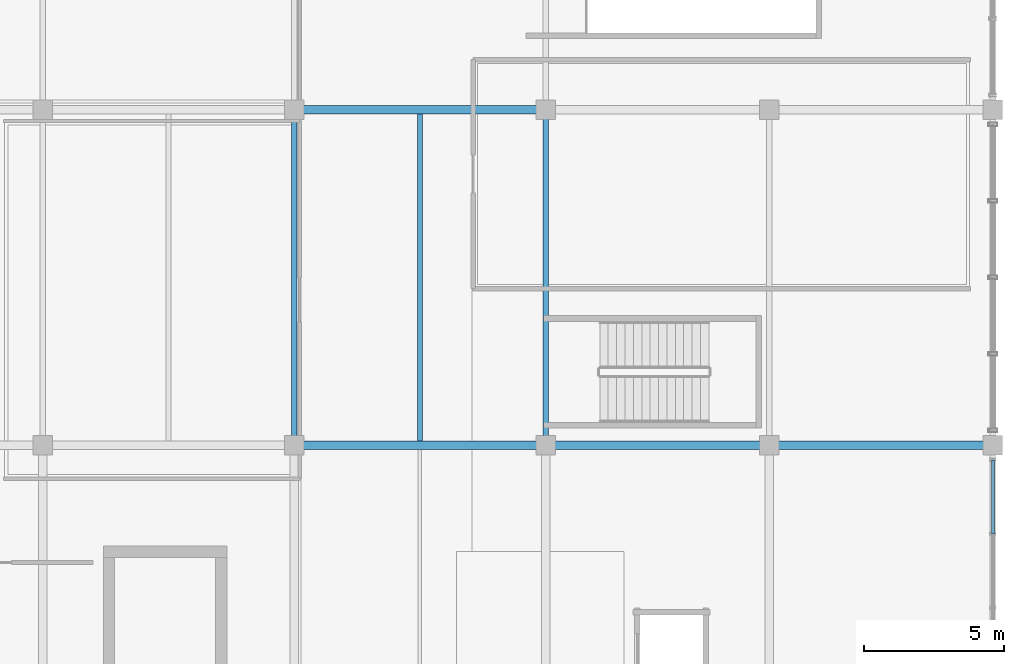
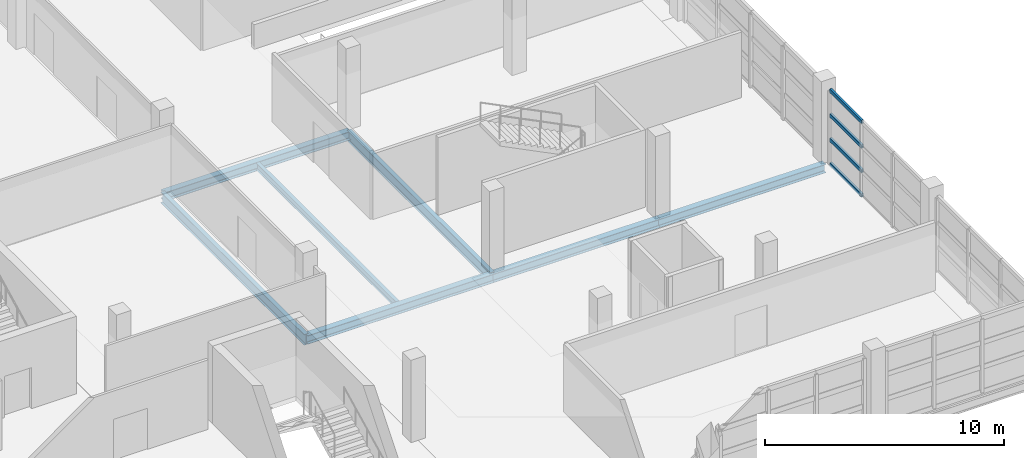
# One storey, part 65 of 136: 7 beams, 4 members, 1 element without a shape of its own.
"""IFC4 building model written with IfcOpenShell, lengths in metres."""

from ifc_helpers import new_model, si_unit, direction, frame, origin, origin_2d, place, context, subcontext, project, spatial, hollow_rectangle, i_section, extrude, material, material_profile, profile_set, type_object, element, aggregate, save


model = new_model("IFC4")

# Units and contexts
model_context = context("Model", 3, precision=1e-05, world=origin(), true_north=direction((0.0, 1.0)))
body_context = subcontext(model_context, "Body", "Model", "MODEL_VIEW")
ifc_project = project(units=[si_unit("LENGTHUNIT", "METRE"), si_unit("AREAUNIT", "SQUARE_METRE"), si_unit("VOLUMEUNIT", "CUBIC_METRE"), si_unit("PLANEANGLEUNIT", "RADIAN"), si_unit("MASSUNIT", "GRAM", prefix="KILO")], contexts=[model_context])

# Site, building, storey
site_placement = place(None, origin())
site = spatial("IfcSite", under=ifc_project, at=site_placement, CompositionType="ELEMENT")
building_placement = place(site_placement, origin())
building = spatial("IfcBuilding", under=site, at=building_placement, Name="Chuanluo Vaults Station", CompositionType="ELEMENT")
storey_placement = place(building_placement, frame((0.0, 0.0, 6.60009765625)))
storey = spatial("IfcBuildingStorey", under=building, at=storey_placement, Name="L01", CompositionType="ELEMENT", Elevation=6.60009765625)

# Beams
ifc_material_1 = material(Name="Steel Q355C", Category="steel")
ifc_material_profile_1 = material_profile(ifc_material_1, i_section(OverallWidth=0.300048828125, OverallDepth=0.43994140625, WebThickness=0.010986328125, FlangeThickness=0.01806640625, FilletRadius=0.02001953125, at=origin_2d()))
ifc_profile_set_1 = profile_set([ifc_material_profile_1], Name="Steel Q355C")
beam_type_1 = type_object("IfcBeamType", Name="BM-GRD-450", PredefinedType="USERDEFINED", material=ifc_profile_set_1)
beam_1_placement = place(storey_placement, frame((163.0, 18.0, -0.460205078125), z_axis=(1.0, 0.0, 0.0), x_axis=(0.0, 1.0, 0.0)))
element("IfcBeam", 1, at=beam_1_placement, inside=storey, type_object=beam_type_1, Name="Floor girder BM:GX:L01:0299", ObjectType="GIRDER", PredefinedType="USERDEFINED", context=body_context, shape_type="SweptSolid", body=[
    extrude(i_section(OverallWidth=0.300048828125, OverallDepth=0.43994140625, WebThickness=0.010986328125, FlangeThickness=0.01806640625, FilletRadius=0.02001953125, at=origin_2d()), origin(), (0.0, 0.0, 1.0), 9.0),
])
for number, where, z_axis, x_axis, name in (
    (2, (172.0, 18.0, -0.460205078125), (1.0, 0.0, 0.0), (0.0, 1.0, 0.0), "Floor girder BM:GX:L01:0300"),
    (3, (180.0, 18.0, -0.460205078125), (1.0, 0.0, 0.0), (0.0, 1.0, 0.0), "Floor girder BM:GX:L01:0301"),
):
    element("IfcBeam", number, at=place(storey_placement, frame(where, z_axis=z_axis, x_axis=x_axis)), inside=storey, type_object=beam_type_1, Name=name, ObjectType="GIRDER", PredefinedType="USERDEFINED", context=body_context, shape_type="SweptSolid", body=[
        extrude(i_section(OverallWidth=0.300048828125, OverallDepth=0.43994140625, WebThickness=0.010986328125, FlangeThickness=0.01806640625, FilletRadius=0.02001953125, at=origin_2d()), origin(), (0.0, 0.0, 1.0), 8.0),
    ])
beam_2_placement = place(storey_placement, frame((163.0, 30.0, -0.460205078125), z_axis=(1.0, 0.0, 0.0), x_axis=(0.0, 1.0, 0.0)))
element("IfcBeam", 4, at=beam_2_placement, inside=storey, type_object=beam_type_1, Name="Floor girder BM:GX:L01:0307", ObjectType="GIRDER", PredefinedType="USERDEFINED", context=body_context, shape_type="SweptSolid", body=[
    extrude(i_section(OverallWidth=0.300048828125, OverallDepth=0.43994140625, WebThickness=0.010986328125, FlangeThickness=0.01806640625, FilletRadius=0.02001953125, at=origin_2d()), origin(), (0.0, 0.0, 1.0), 9.0),
])
ifc_material_2 = material(Name="Steel Q355C", Category="steel")
ifc_material_profile_2 = material_profile(ifc_material_2, i_section(OverallWidth=0.199951171875, OverallDepth=0.550048828125, WebThickness=0.010009765625, FlangeThickness=0.01611328125, FilletRadius=0.01806640625, at=origin_2d()))
ifc_profile_set_2 = profile_set([ifc_material_profile_2], Name="Steel Q355C")
beam_type_2 = type_object("IfcBeamType", Name="BM-GRD-550", PredefinedType="USERDEFINED", material=ifc_profile_set_2)
for number, where, z_axis, x_axis, name in (
    (5, (163.0, 18.0, -0.51513671875), (0.0, 1.0, 0.0), (-1.0, 0.0, 0.0), "Floor girder BM:GY:L01:0490"),
    (6, (172.0, 18.0, -0.51513671875), (0.0, 1.0, 0.0), (-1.0, 0.0, 0.0), "Floor girder BM:GY:L01:0502"),
):
    element("IfcBeam", number, at=place(storey_placement, frame(where, z_axis=z_axis, x_axis=x_axis)), inside=storey, type_object=beam_type_2, Name=name, ObjectType="GIRDER", PredefinedType="USERDEFINED", context=body_context, shape_type="SweptSolid", body=[
        extrude(i_section(OverallWidth=0.199951171875, OverallDepth=0.550048828125, WebThickness=0.010009765625, FlangeThickness=0.01611328125, FilletRadius=0.01806640625, at=origin_2d()), origin(), (0.0, 0.0, 1.0), 12.0),
    ])
ifc_material_3 = material(Name="Steel Q355C", Category="steel")
ifc_material_profile_3 = material_profile(ifc_material_3, i_section(OverallWidth=0.175048828125, OverallDepth=0.35009765625, WebThickness=0.007080078125, FlangeThickness=0.010986328125, FilletRadius=0.013916015625, at=origin_2d()))
ifc_profile_set_3 = profile_set([ifc_material_profile_3], Name="Steel Q355C")
beam_type_3 = type_object("IfcBeamType", Name="BM-SEC-350", PredefinedType="JOIST", material=ifc_profile_set_3)
beam_3_placement = place(storey_placement, frame((167.5, 18.155029296875, -0.4150390625), z_axis=(0.0, 1.0, 0.0), x_axis=(-1.0, 0.0, 0.0)))
element("IfcBeam", 7, at=beam_3_placement, inside=storey, type_object=beam_type_3, Name="Composite secondary joist 0178", PredefinedType="JOIST", context=body_context, shape_type="SweptSolid", body=[
    extrude(i_section(OverallWidth=0.175048828125, OverallDepth=0.35009765625, WebThickness=0.007080078125, FlangeThickness=0.010986328125, FilletRadius=0.013916015625, at=origin_2d()), origin(), (0.0, 0.0, 1.0), 11.68994140625),
])

# Curtain wall, members
ifc_material_4 = material(Name="Anodised aluminium 6063-T6", Category="aluminium")
curtain_wall_type = type_object("IfcCurtainWallType", Name="CW-SYS-16", PredefinedType="NOTDEFINED", material=ifc_material_4)
curtain_wall_placement = place(storey_placement, origin())
curtain_wall = element("IfcCurtainWall", 8, at=curtain_wall_placement, inside=storey, type_object=curtain_wall_type, Name="Retail pavilion L01 facade CW", PredefinedType="NOTDEFINED")
ifc_material_5 = material(Name="Anodised aluminium 6063-T6", Category="aluminium")
ifc_material_profile_4 = material_profile(ifc_material_5, hollow_rectangle(XDim=0.10498046875, YDim=0.18505859375, WallThickness=0.0048828125, at=origin_2d()))
ifc_profile_set_4 = profile_set([ifc_material_profile_4], Name="Anodised aluminium 6063-T6")
member_type = type_object("IfcMemberType", Name="CWT-110", PredefinedType="USERDEFINED", material=ifc_profile_set_4)
member_1_placement = place(storey_placement, frame((188.0, 17.47509765625, 0.0), z_axis=(0.0, -1.0, 0.0), x_axis=(1.0, 0.0, 0.0)))
member_1 = element("IfcMember", 9, at=member_1_placement, type_object=member_type, Name="Retail pavilion L01 facade CW transom 1.1", ObjectType="TRANSOM", PredefinedType="USERDEFINED", context=body_context, shape_type="SweptSolid", body=[
    extrude(hollow_rectangle(XDim=0.10498046875, YDim=0.18505859375, WallThickness=0.0048828125, at=origin_2d()), origin(), (0.0, 0.0, 1.0), 2.650146484375),
])
member_2_placement = place(storey_placement, frame((188.0, 17.47509765625, 1.25), z_axis=(0.0, -1.0, 0.0), x_axis=(1.0, 0.0, 0.0)))
member_2 = element("IfcMember", 10, at=member_2_placement, type_object=member_type, Name="Retail pavilion L01 facade CW transom 1.2", ObjectType="TRANSOM", PredefinedType="USERDEFINED", context=body_context, shape_type="SweptSolid", body=[
    extrude(hollow_rectangle(XDim=0.10498046875, YDim=0.18505859375, WallThickness=0.0048828125, at=origin_2d()), origin(), (0.0, 0.0, 1.0), 2.650146484375),
])
member_3_placement = place(storey_placement, frame((188.0, 17.47509765625, 2.5), z_axis=(0.0, -1.0, 0.0), x_axis=(1.0, 0.0, 0.0)))
member_3 = element("IfcMember", 11, at=member_3_placement, type_object=member_type, Name="Retail pavilion L01 facade CW transom 1.3", ObjectType="TRANSOM", PredefinedType="USERDEFINED", context=body_context, shape_type="SweptSolid", body=[
    extrude(hollow_rectangle(XDim=0.10498046875, YDim=0.18505859375, WallThickness=0.0048828125, at=origin_2d()), origin(), (0.0, 0.0, 1.0), 2.650146484375),
])
member_4_placement = place(storey_placement, frame((188.0, 17.47509765625, 3.75), z_axis=(0.0, -1.0, 0.0), x_axis=(1.0, 0.0, 0.0)))
member_4 = element("IfcMember", 12, at=member_4_placement, type_object=member_type, Name="Retail pavilion L01 facade CW transom 1.4", ObjectType="TRANSOM", PredefinedType="USERDEFINED", context=body_context, shape_type="SweptSolid", body=[
    extrude(hollow_rectangle(XDim=0.10498046875, YDim=0.18505859375, WallThickness=0.0048828125, at=origin_2d()), origin(), (0.0, 0.0, 1.0), 2.650146484375),
])
aggregate(curtain_wall, [member_1, member_2, member_3, member_4])

save(model, "model.ifc")
